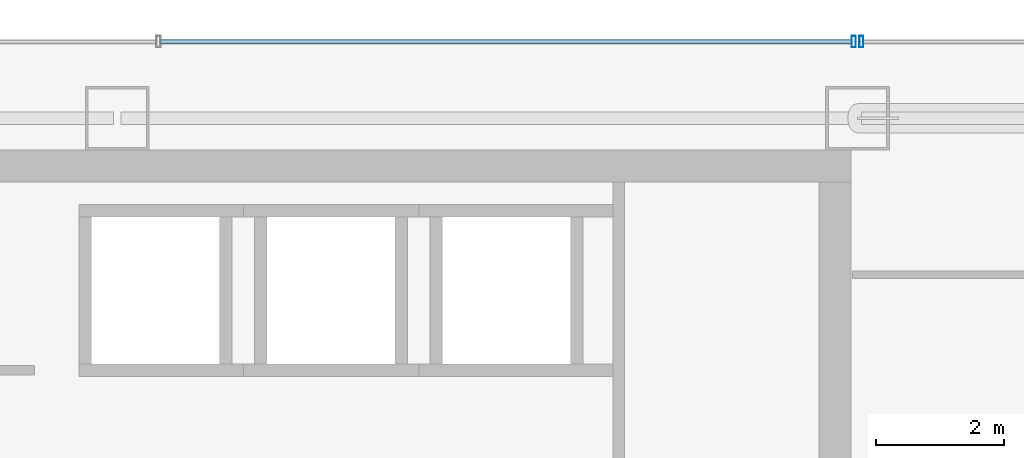
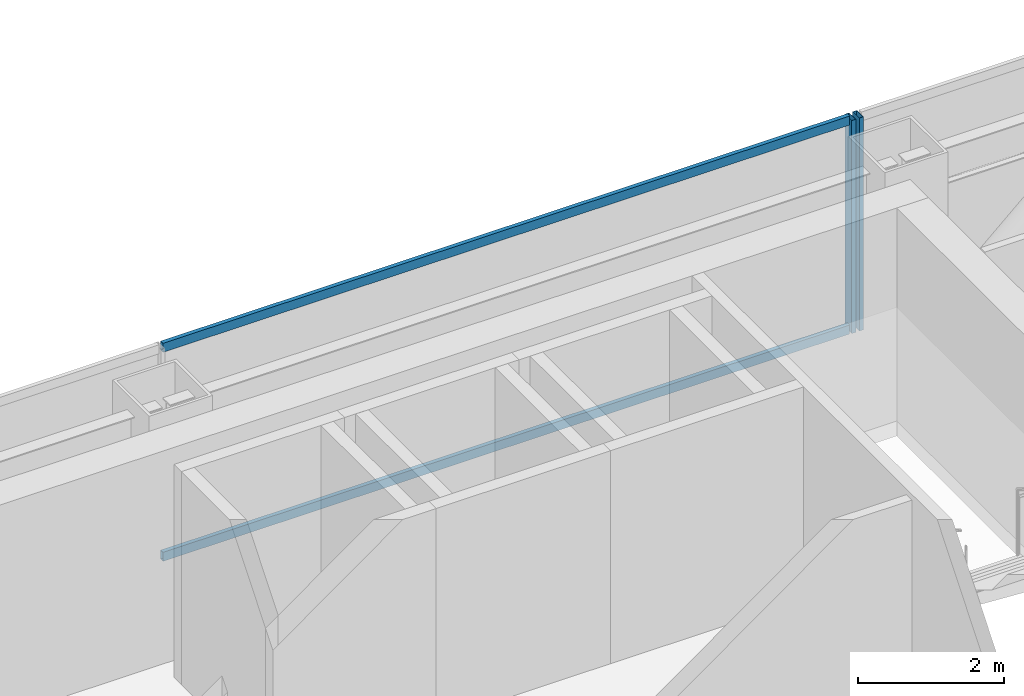
# One storey, part 27 of 36: 4 members, 2 elements without a shape of their own.
"""IFC4 building model written with IfcOpenShell, lengths in metres."""

from ifc_helpers import new_model, si_unit, direction, frame, origin, origin_2d, place, context, subcontext, project, spatial, hollow_rectangle, extrude, material, material_profile, profile_set, type_object, element, aggregate, save


model = new_model("IFC4")

# Units and contexts
model_context = context("Model", 3, precision=1e-05, world=origin(), true_north=direction((0.0, 1.0)))
body_context = subcontext(model_context, "Body", "Model", "MODEL_VIEW")
ifc_project = project(units=[si_unit("LENGTHUNIT", "METRE"), si_unit("AREAUNIT", "SQUARE_METRE"), si_unit("VOLUMEUNIT", "CUBIC_METRE"), si_unit("PLANEANGLEUNIT", "RADIAN"), si_unit("MASSUNIT", "GRAM", prefix="KILO")], contexts=[model_context])

# Site, building, storey
site_placement = place(None, origin())
site = spatial("IfcSite", under=ifc_project, at=site_placement, CompositionType="ELEMENT")
building_placement = place(site_placement, origin())
building = spatial("IfcBuilding", under=site, at=building_placement, Name="Saevonmaru Cultural Tower", CompositionType="ELEMENT")
storey_placement = place(building_placement, frame((0.0, 0.0, 152.39990234375)))
storey = spatial("IfcBuildingStorey", under=building, at=storey_placement, Name="L33", CompositionType="ELEMENT", Elevation=152.39990234375)

# Curtain wall, member
ifc_material = material(Name="Satin Bronze Anodised Aluminium", Category="aluminium")
curtain_wall_type = type_object("IfcCurtainWallType", Name="CW-TYP-A", PredefinedType="NOTDEFINED", material=ifc_material)
curtain_wall_1_placement = place(storey_placement, origin())
curtain_wall_1 = element("IfcCurtainWall", 1, at=curtain_wall_1_placement, inside=storey, type_object=curtain_wall_type, Name="L33 East Braced Bay Spandrel Curtain Wall E10A", PredefinedType="NOTDEFINED")
ifc_material_profile_1 = material_profile(ifc_material, hollow_rectangle(XDim=0.06494140625, YDim=0.179931640625, WallThickness=0.00390625, at=origin_2d()), Name="ALU-MULL-180x65x4")
ifc_profile_set_1 = profile_set([ifc_material_profile_1], Name="Satin Bronze Anodised Aluminium")
member_type_1 = type_object("IfcMemberType", Name="ML-CW-180x65", PredefinedType="MULLION", material=ifc_profile_set_1)
member_1_placement = place(storey_placement, frame((46.4599609375, 56.0, 0.0), z_axis=(0.0, 0.0, 1.0), x_axis=(-1.0, 0.0, 0.0)))
member_1 = element("IfcMember", 2, at=member_1_placement, type_object=member_type_1, Name="CW-TW-L33-E10A mullion 2", PredefinedType="MULLION", context=body_context, shape_type="SweptSolid", body=[
    extrude(hollow_rectangle(XDim=0.06494140625, YDim=0.179931640625, WallThickness=0.00390625, at=origin_2d()), origin(), (0.0, 0.0, 1.0), 3.550048828125),
])
aggregate(curtain_wall_1, [member_1])

# Curtain wall, members
curtain_wall_2_placement = place(storey_placement, origin())
curtain_wall_2 = element("IfcCurtainWall", 3, at=curtain_wall_2_placement, inside=storey, type_object=curtain_wall_type, Name="L33 North Spine Unitised Curtain Wall E10B", PredefinedType="NOTDEFINED")
member_2_placement = place(storey_placement, frame((46.340087890625, 56.0, 0.0), z_axis=(0.0, 0.0, 1.0), x_axis=(-1.0, 0.0, 0.0)))
member_2 = element("IfcMember", 4, at=member_2_placement, type_object=member_type_1, Name="CW-TW-L33-E10B mullion 1", PredefinedType="MULLION", context=body_context, shape_type="SweptSolid", body=[
    extrude(hollow_rectangle(XDim=0.06494140625, YDim=0.179931640625, WallThickness=0.00390625, at=origin_2d()), origin(), (0.0, 0.0, 1.0), 3.550048828125),
])
ifc_material_profile_2 = material_profile(ifc_material, hollow_rectangle(XDim=0.06494140625, YDim=0.14990234375, WallThickness=0.00390625, at=origin_2d()), Name="ALU-TRAN-150x65x4")
ifc_profile_set_2 = profile_set([ifc_material_profile_2], Name="Satin Bronze Anodised Aluminium")
member_type_2 = type_object("IfcMemberType", Name="TR-CW-150x65", PredefinedType="USERDEFINED", material=ifc_profile_set_2)
member_3_placement = place(storey_placement, frame((46.3076171875, 56.0, 0.03271484375), z_axis=(-1.0, 0.0, 0.0), x_axis=(0.0, -1.0, 0.0)))
member_3 = element("IfcMember", 5, at=member_3_placement, type_object=member_type_2, Name="CW-TW-L33-E10B transom 1.1", ObjectType="TRANSOM", PredefinedType="USERDEFINED", context=body_context, shape_type="SweptSolid", body=[
    extrude(hollow_rectangle(XDim=0.06494140625, YDim=0.14990234375, WallThickness=0.00390625, at=origin_2d()), origin(), (0.0, 0.0, 1.0), 10.828369140625),
])
member_4_placement = place(storey_placement, frame((46.3076171875, 56.0, 3.517578125), z_axis=(-1.0, 0.0, 0.0), x_axis=(0.0, -1.0, 0.0)))
member_4 = element("IfcMember", 6, at=member_4_placement, type_object=member_type_2, Name="CW-TW-L33-E10B transom 1.2", ObjectType="TRANSOM", PredefinedType="USERDEFINED", context=body_context, shape_type="SweptSolid", body=[
    extrude(hollow_rectangle(XDim=0.06494140625, YDim=0.14990234375, WallThickness=0.00390625, at=origin_2d()), origin(), (0.0, 0.0, 1.0), 10.828369140625),
])
aggregate(curtain_wall_2, [member_2, member_3, member_4])

save(model, "model.ifc")
